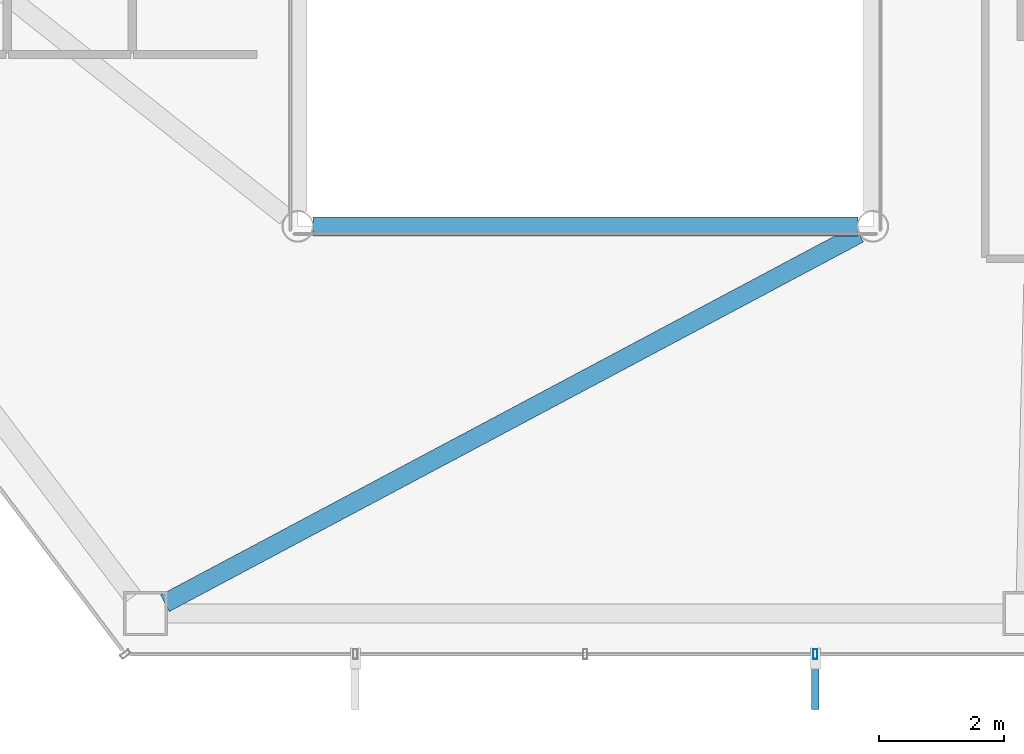
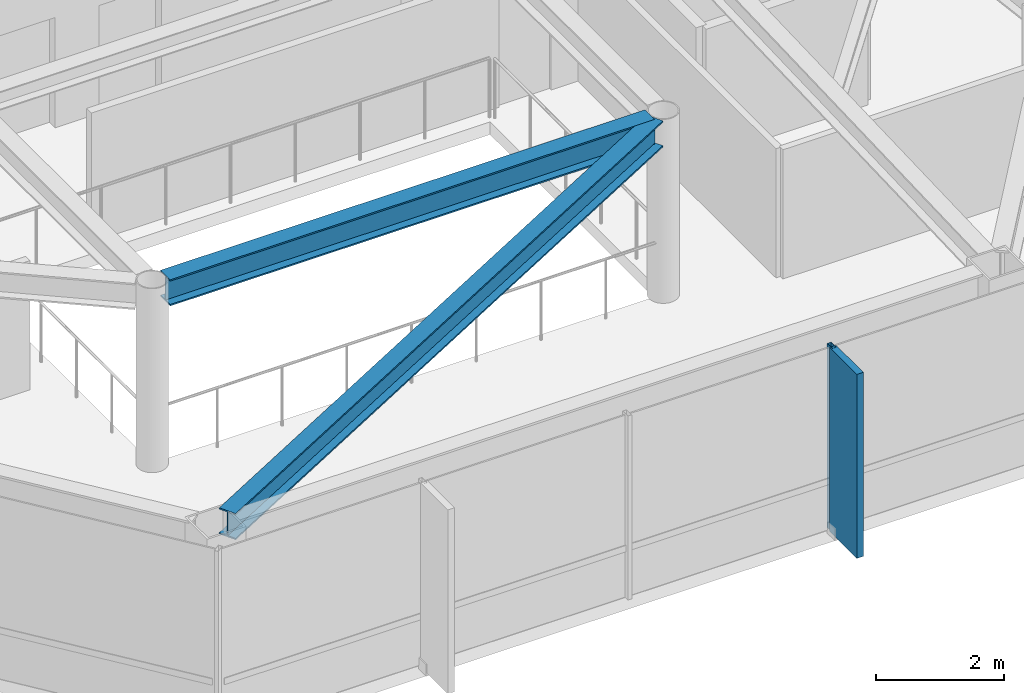
# One storey, part 7 of 27: 2 beams, 2 members, 1 element without a shape of its own.
"""IFC4 building model written with IfcOpenShell, lengths in metres."""

from ifc_helpers import new_model, si_unit, direction, frame, origin, origin_2d, place, context, subcontext, project, spatial, rectangle, hollow_rectangle, i_section, extrude, material, layer, layer_set, material_profile, profile_set, type_object, element, aggregate, save


model = new_model("IFC4")

# Units and contexts
model_context = context("Model", 3, precision=1e-05, world=origin(), true_north=direction((0.0, 1.0)))
body_context = subcontext(model_context, "Body", "Model", "MODEL_VIEW")
ifc_project = project(units=[si_unit("LENGTHUNIT", "METRE"), si_unit("AREAUNIT", "SQUARE_METRE"), si_unit("VOLUMEUNIT", "CUBIC_METRE"), si_unit("PLANEANGLEUNIT", "RADIAN"), si_unit("MASSUNIT", "GRAM", prefix="KILO")], contexts=[model_context])

# Site, building, storey
site_placement = place(None, origin())
site = spatial("IfcSite", under=ifc_project, at=site_placement, CompositionType="ELEMENT")
building_placement = place(site_placement, origin())
building = spatial("IfcBuilding", under=site, at=building_placement, Name="Zarrinselat Tower", CompositionType="ELEMENT")
storey_placement = place(building_placement, frame((0.0, 0.0, 175.780029296875)))
storey = spatial("IfcBuildingStorey", under=building, at=storey_placement, Name="L43", CompositionType="ELEMENT", Elevation=175.780029296875)

# Beams
ifc_material_1 = material(Name="Steel S355J2", Category="steel")
ifc_material_profile_1 = material_profile(ifc_material_1, i_section(OverallWidth=0.300048828125, OverallDepth=0.5, WebThickness=0.014404296875, FlangeThickness=0.028076171875, at=origin_2d()), Name="HEB 500")
ifc_profile_set_1 = profile_set([ifc_material_profile_1], Name="Steel S355J2")
beam_type = type_object("IfcBeamType", Name="BM-HEB500", PredefinedType="BEAM", material=ifc_profile_set_1)
beam_1_placement = place(storey_placement, frame((34.0400390625, 24.39990234375, 3.25), z_axis=(1.0, 0.0, 0.0), x_axis=(0.0, 1.0, 0.0)))
element("IfcBeam", 1, at=beam_1_placement, inside=storey, type_object=beam_type, Name="L43 Atrium Edge Beam S", PredefinedType="BEAM", context=body_context, shape_type="SweptSolid", body=[
    extrude(i_section(OverallWidth=0.300048828125, OverallDepth=0.5, WebThickness=0.014404296875, FlangeThickness=0.028076171875, at=origin_2d()), origin(), (0.0, 0.0, 1.0), 8.719970703125),
])
beam_2_placement = place(storey_placement, frame((31.67529296875, 18.37060546875, 3.25), z_axis=(0.882691705448, 0.469952500933, 0.0), x_axis=(-0.469952500933, 0.882691705448, 0.0)))
element("IfcBeam", 2, at=beam_2_placement, inside=storey, type_object=beam_type, Name="L43 Radial Primary Girder RG10", PredefinedType="BEAM", context=body_context, shape_type="SweptSolid", body=[
    extrude(i_section(OverallWidth=0.300048828125, OverallDepth=0.5, WebThickness=0.014404296875, FlangeThickness=0.028076171875, at=origin_2d()), origin(), (0.0, 0.0, 1.0), 12.57958984375),
])

# Curtain wall, members
ifc_material_2 = material(Name="Extruded Aluminium Alloy EN AW-6063 T6", Category="aluminium")
ifc_layer = layer(ifc_material_2, 0.175048828125)
ifc_layer_set = layer_set([ifc_layer], Name="Extruded Aluminium Alloy EN AW-6063 T6")
curtain_wall_type = type_object("IfcCurtainWallType", Name="CWS-HTL", PredefinedType="NOTDEFINED", material=ifc_layer_set)
curtain_wall_placement = place(storey_placement, origin())
curtain_wall = element("IfcCurtainWall", 3, at=curtain_wall_placement, inside=storey, type_object=curtain_wall_type, Name="L43 Unitised Curtain Wall CW-L43-E04", PredefinedType="NOTDEFINED")
ifc_material_3 = material(Name="Extruded Aluminium Alloy EN AW-6063 T6", Category="aluminium")
ifc_material_profile_2 = material_profile(ifc_material_3, hollow_rectangle(XDim=0.070068359375, YDim=0.159912109375, WallThickness=0.00390625, at=origin_2d()), Name="RHS 160x70x4")
ifc_profile_set_2 = profile_set([ifc_material_profile_2], Name="Extruded Aluminium Alloy EN AW-6063 T6")
member_type_1 = type_object("IfcMemberType", Name="MEM-CW-MUL2", PredefinedType="MULLION", material=ifc_profile_set_2)
member_1_placement = place(storey_placement, frame((42.0791015625, 17.555419921875, 0.0), z_axis=(0.0, 0.0, 1.0), x_axis=(1.0, 0.0, 0.0)))
member_1 = element("IfcMember", 4, at=member_1_placement, type_object=member_type_1, Name="CW-L43-E04 Mullion 3", PredefinedType="MULLION", context=body_context, shape_type="SweptSolid", body=[
    extrude(hollow_rectangle(XDim=0.070068359375, YDim=0.159912109375, WallThickness=0.00390625, at=origin_2d()), origin(), (0.0, 0.0, 1.0), 3.5),
])
ifc_material_4 = material(Name="Honed Cream Travertine Stone", Category="masonry")
ifc_material_profile_3 = material_profile(ifc_material_4, rectangle(XDim=0.1201171875, YDim=0.85009765625, at=origin_2d()), Name="FIN 850x120")
ifc_profile_set_3 = profile_set([ifc_material_profile_3], Name="Honed Cream Travertine Stone")
member_type_2 = type_object("IfcMemberType", Name="MEM-STONE-FIN", PredefinedType="USERDEFINED", material=ifc_profile_set_3)
member_2_placement = place(storey_placement, frame((42.0791015625, 17.09521484375, 0.0), z_axis=(0.0, 0.0, 1.0), x_axis=(-1.0, 0.0, 0.0)))
member_2 = element("IfcMember", 5, at=member_2_placement, type_object=member_type_2, Name="L43 Stone Shading Fin CW-L43-E04-03", ObjectType="FIN", PredefinedType="USERDEFINED", context=body_context, shape_type="SweptSolid", body=[
    extrude(rectangle(XDim=0.1201171875, YDim=0.85009765625, at=origin_2d()), origin(), (0.0, 0.0, 1.0), 3.5),
])
aggregate(curtain_wall, [member_1, member_2])

save(model, "model.ifc")
